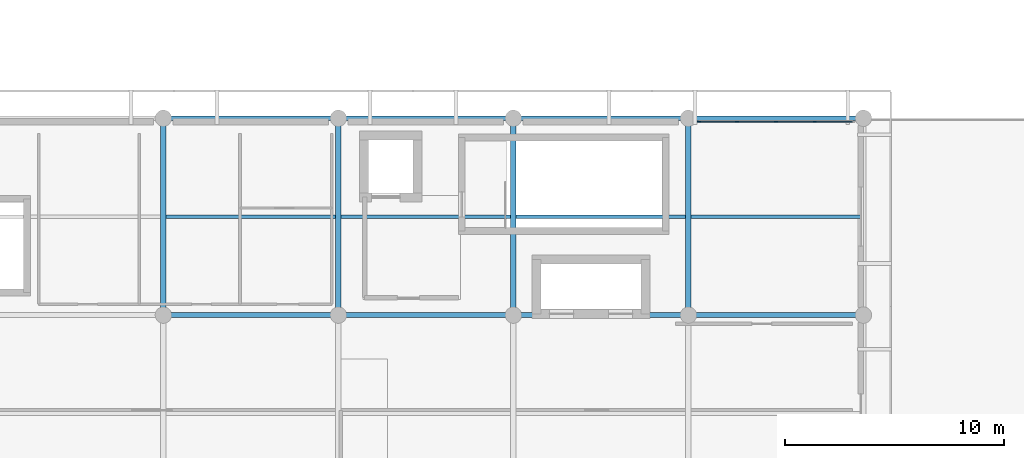
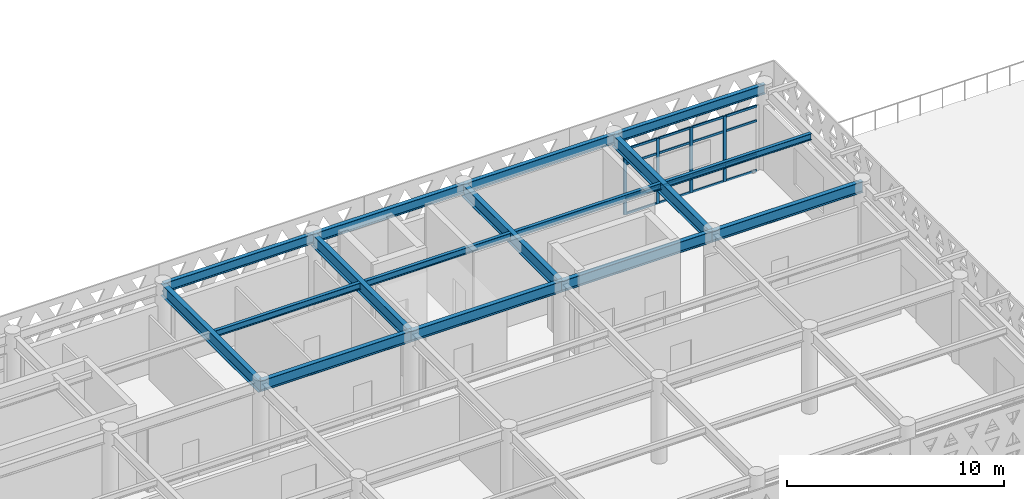
# One storey, part 12 of 26: 20 members, 16 beams, 1 element without a shape of its own.
"""IFC4 building model written with IfcOpenShell, lengths in metres."""

from ifc_helpers import new_model, si_unit, direction, frame, origin, origin_2d, place, context, subcontext, project, spatial, rectangle, i_section, extrude, material, layer, layer_set, material_profile, profile_set, type_object, element, aggregate, save


model = new_model("IFC4")

# Units and contexts
model_context = context("Model", 3, precision=1e-05, world=origin(), true_north=direction((0.0, 1.0)))
body_context = subcontext(model_context, "Body", "Model", "MODEL_VIEW")
ifc_project = project(units=[si_unit("LENGTHUNIT", "METRE"), si_unit("AREAUNIT", "SQUARE_METRE"), si_unit("VOLUMEUNIT", "CUBIC_METRE"), si_unit("PLANEANGLEUNIT", "RADIAN"), si_unit("MASSUNIT", "GRAM", prefix="KILO")], contexts=[model_context])

# Site, building, storey
site_placement = place(None, origin())
site = spatial("IfcSite", under=ifc_project, at=site_placement, CompositionType="ELEMENT")
building_placement = place(site_placement, origin())
building = spatial("IfcBuilding", under=site, at=building_placement, Name="Tlacozan Convention Centre", CompositionType="ELEMENT")
storey_placement = place(building_placement, frame((0.0, 0.0, 21.0)))
storey = spatial("IfcBuildingStorey", under=building, at=storey_placement, Name="L04", CompositionType="ELEMENT", Elevation=21.0)

# Curtain wall, members
ifc_material_1 = material(Name="Dark Bronze Anodised Aluminium", Category="aluminium")
ifc_layer = layer(ifc_material_1, 0.159912109375)
ifc_layer_set = layer_set([ifc_layer], Name="Dark Bronze Anodised Aluminium")
curtain_wall_type = type_object("IfcCurtainWallType", Name="Unitised Congress L04 South CW05", PredefinedType="NOTDEFINED", material=ifc_layer_set)
curtain_wall_placement = place(storey_placement, origin())
curtain_wall = element("IfcCurtainWall", 1, at=curtain_wall_placement, inside=storey, type_object=curtain_wall_type, Name="L04 CW-05 Run 137", PredefinedType="NOTDEFINED")
ifc_material_profile_1 = material_profile(ifc_material_1, rectangle(XDim=0.06494140625, YDim=0.159912109375, at=origin_2d()), Name="ALU 65x160")
ifc_profile_set_1 = profile_set([ifc_material_profile_1], Name="Dark Bronze Anodised Aluminium")
member_type_1 = type_object("IfcMemberType", Name="Curtain Wall Mullion 65x160", PredefinedType="MULLION", material=ifc_profile_set_1)
member_1_placement = place(storey_placement, frame((88.482421875, 26.840087890625, 0.0), z_axis=(0.0, 0.0, 1.0), x_axis=(0.0, 1.0, 0.0)))
member_1 = element("IfcMember", 2, at=member_1_placement, type_object=member_type_1, Name="CW-05 mullion 1", PredefinedType="MULLION", context=body_context, shape_type="SweptSolid", body=[
    extrude(rectangle(XDim=0.06494140625, YDim=0.159912109375, at=origin_2d()), origin(), (0.0, 0.0, 1.0), 3.679931640625),
])
member_2_placement = place(storey_placement, frame((90.22509765625, 26.840087890625, 0.0), z_axis=(0.0, 0.0, 1.0), x_axis=(0.0, 1.0, 0.0)))
member_2 = element("IfcMember", 3, at=member_2_placement, type_object=member_type_1, Name="CW-05 mullion 2", PredefinedType="MULLION", context=body_context, shape_type="SweptSolid", body=[
    extrude(rectangle(XDim=0.06494140625, YDim=0.159912109375, at=origin_2d()), origin(), (0.0, 0.0, 1.0), 3.679931640625),
])
member_3_placement = place(storey_placement, frame((92.0, 26.840087890625, 0.0), z_axis=(0.0, 0.0, 1.0), x_axis=(0.0, 1.0, 0.0)))
member_3 = element("IfcMember", 4, at=member_3_placement, type_object=member_type_1, Name="CW-05 mullion 3", PredefinedType="MULLION", context=body_context, shape_type="SweptSolid", body=[
    extrude(rectangle(XDim=0.06494140625, YDim=0.159912109375, at=origin_2d()), origin(), (0.0, 0.0, 1.0), 3.679931640625),
])
member_4_placement = place(storey_placement, frame((93.77490234375, 26.840087890625, 0.0), z_axis=(0.0, 0.0, 1.0), x_axis=(0.0, 1.0, 0.0)))
member_4 = element("IfcMember", 5, at=member_4_placement, type_object=member_type_1, Name="CW-05 mullion 4", PredefinedType="MULLION", context=body_context, shape_type="SweptSolid", body=[
    extrude(rectangle(XDim=0.06494140625, YDim=0.159912109375, at=origin_2d()), origin(), (0.0, 0.0, 1.0), 3.679931640625),
])
ifc_material_profile_2 = material_profile(ifc_material_1, rectangle(XDim=0.06494140625, YDim=0.125, at=origin_2d()), Name="ALU 65x125")
ifc_profile_set_2 = profile_set([ifc_material_profile_2], Name="Dark Bronze Anodised Aluminium")
member_type_2 = type_object("IfcMemberType", Name="Curtain Wall Transom 65x125", PredefinedType="USERDEFINED", material=ifc_profile_set_2)
member_5_placement = place(storey_placement, frame((88.514892578125, 26.840087890625, 0.032470703125), z_axis=(1.0, 0.0, 0.0), x_axis=(0.0, 1.0, 0.0)))
member_5 = element("IfcMember", 6, at=member_5_placement, type_object=member_type_2, Name="CW-05 transom 1.1", ObjectType="TRANSOM", PredefinedType="USERDEFINED", context=body_context, shape_type="SweptSolid", body=[
    extrude(rectangle(XDim=0.06494140625, YDim=0.125, at=origin_2d()), origin(), (0.0, 0.0, 1.0), 1.677490234375),
])
member_6_placement = place(storey_placement, frame((88.514892578125, 26.840087890625, 0.89990234375), z_axis=(1.0, 0.0, 0.0), x_axis=(0.0, 1.0, 0.0)))
member_6 = element("IfcMember", 7, at=member_6_placement, type_object=member_type_2, Name="CW-05 transom 1.2", ObjectType="TRANSOM", PredefinedType="USERDEFINED", context=body_context, shape_type="SweptSolid", body=[
    extrude(rectangle(XDim=0.06494140625, YDim=0.125, at=origin_2d()), origin(), (0.0, 0.0, 1.0), 1.677490234375),
])
member_7_placement = place(storey_placement, frame((88.514892578125, 26.840087890625, 2.830078125), z_axis=(1.0, 0.0, 0.0), x_axis=(0.0, 1.0, 0.0)))
member_7 = element("IfcMember", 8, at=member_7_placement, type_object=member_type_2, Name="CW-05 transom 1.3", ObjectType="TRANSOM", PredefinedType="USERDEFINED", context=body_context, shape_type="SweptSolid", body=[
    extrude(rectangle(XDim=0.06494140625, YDim=0.125, at=origin_2d()), origin(), (0.0, 0.0, 1.0), 1.677490234375),
])
member_8_placement = place(storey_placement, frame((88.514892578125, 26.840087890625, 3.6474609375), z_axis=(1.0, 0.0, 0.0), x_axis=(0.0, 1.0, 0.0)))
member_8 = element("IfcMember", 9, at=member_8_placement, type_object=member_type_2, Name="CW-05 transom 1.4", ObjectType="TRANSOM", PredefinedType="USERDEFINED", context=body_context, shape_type="SweptSolid", body=[
    extrude(rectangle(XDim=0.06494140625, YDim=0.125, at=origin_2d()), origin(), (0.0, 0.0, 1.0), 1.677490234375),
])
member_9_placement = place(storey_placement, frame((90.257568359375, 26.840087890625, 0.032470703125), z_axis=(1.0, 0.0, 0.0), x_axis=(0.0, 1.0, 0.0)))
member_9 = element("IfcMember", 10, at=member_9_placement, type_object=member_type_2, Name="CW-05 transom 2.1", ObjectType="TRANSOM", PredefinedType="USERDEFINED", context=body_context, shape_type="SweptSolid", body=[
    extrude(rectangle(XDim=0.06494140625, YDim=0.125, at=origin_2d()), origin(), (0.0, 0.0, 1.0), 1.7099609375),
])
member_10_placement = place(storey_placement, frame((90.257568359375, 26.840087890625, 0.89990234375), z_axis=(1.0, 0.0, 0.0), x_axis=(0.0, 1.0, 0.0)))
member_10 = element("IfcMember", 11, at=member_10_placement, type_object=member_type_2, Name="CW-05 transom 2.2", ObjectType="TRANSOM", PredefinedType="USERDEFINED", context=body_context, shape_type="SweptSolid", body=[
    extrude(rectangle(XDim=0.06494140625, YDim=0.125, at=origin_2d()), origin(), (0.0, 0.0, 1.0), 1.7099609375),
])
member_11_placement = place(storey_placement, frame((90.257568359375, 26.840087890625, 2.830078125), z_axis=(1.0, 0.0, 0.0), x_axis=(0.0, 1.0, 0.0)))
member_11 = element("IfcMember", 12, at=member_11_placement, type_object=member_type_2, Name="CW-05 transom 2.3", ObjectType="TRANSOM", PredefinedType="USERDEFINED", context=body_context, shape_type="SweptSolid", body=[
    extrude(rectangle(XDim=0.06494140625, YDim=0.125, at=origin_2d()), origin(), (0.0, 0.0, 1.0), 1.7099609375),
])
member_12_placement = place(storey_placement, frame((90.257568359375, 26.840087890625, 3.6474609375), z_axis=(1.0, 0.0, 0.0), x_axis=(0.0, 1.0, 0.0)))
member_12 = element("IfcMember", 13, at=member_12_placement, type_object=member_type_2, Name="CW-05 transom 2.4", ObjectType="TRANSOM", PredefinedType="USERDEFINED", context=body_context, shape_type="SweptSolid", body=[
    extrude(rectangle(XDim=0.06494140625, YDim=0.125, at=origin_2d()), origin(), (0.0, 0.0, 1.0), 1.7099609375),
])
member_13_placement = place(storey_placement, frame((92.032470703125, 26.840087890625, 0.032470703125), z_axis=(1.0, 0.0, 0.0), x_axis=(0.0, 1.0, 0.0)))
member_13 = element("IfcMember", 14, at=member_13_placement, type_object=member_type_2, Name="CW-05 transom 3.1", ObjectType="TRANSOM", PredefinedType="USERDEFINED", context=body_context, shape_type="SweptSolid", body=[
    extrude(rectangle(XDim=0.06494140625, YDim=0.125, at=origin_2d()), origin(), (0.0, 0.0, 1.0), 1.7099609375),
])
member_14_placement = place(storey_placement, frame((92.032470703125, 26.840087890625, 0.89990234375), z_axis=(1.0, 0.0, 0.0), x_axis=(0.0, 1.0, 0.0)))
member_14 = element("IfcMember", 15, at=member_14_placement, type_object=member_type_2, Name="CW-05 transom 3.2", ObjectType="TRANSOM", PredefinedType="USERDEFINED", context=body_context, shape_type="SweptSolid", body=[
    extrude(rectangle(XDim=0.06494140625, YDim=0.125, at=origin_2d()), origin(), (0.0, 0.0, 1.0), 1.7099609375),
])
member_15_placement = place(storey_placement, frame((92.032470703125, 26.840087890625, 2.830078125), z_axis=(1.0, 0.0, 0.0), x_axis=(0.0, 1.0, 0.0)))
member_15 = element("IfcMember", 16, at=member_15_placement, type_object=member_type_2, Name="CW-05 transom 3.3", ObjectType="TRANSOM", PredefinedType="USERDEFINED", context=body_context, shape_type="SweptSolid", body=[
    extrude(rectangle(XDim=0.06494140625, YDim=0.125, at=origin_2d()), origin(), (0.0, 0.0, 1.0), 1.7099609375),
])
member_16_placement = place(storey_placement, frame((92.032470703125, 26.840087890625, 3.6474609375), z_axis=(1.0, 0.0, 0.0), x_axis=(0.0, 1.0, 0.0)))
member_16 = element("IfcMember", 17, at=member_16_placement, type_object=member_type_2, Name="CW-05 transom 3.4", ObjectType="TRANSOM", PredefinedType="USERDEFINED", context=body_context, shape_type="SweptSolid", body=[
    extrude(rectangle(XDim=0.06494140625, YDim=0.125, at=origin_2d()), origin(), (0.0, 0.0, 1.0), 1.7099609375),
])
member_17_placement = place(storey_placement, frame((93.8076171875, 26.840087890625, 0.032470703125), z_axis=(1.0, 0.0, 0.0), x_axis=(0.0, 1.0, 0.0)))
member_17 = element("IfcMember", 18, at=member_17_placement, type_object=member_type_2, Name="CW-05 transom 4.1", ObjectType="TRANSOM", PredefinedType="USERDEFINED", context=body_context, shape_type="SweptSolid", body=[
    extrude(rectangle(XDim=0.06494140625, YDim=0.125, at=origin_2d()), origin(), (0.0, 0.0, 1.0), 1.677490234375),
])
member_18_placement = place(storey_placement, frame((93.8076171875, 26.840087890625, 0.89990234375), z_axis=(1.0, 0.0, 0.0), x_axis=(0.0, 1.0, 0.0)))
member_18 = element("IfcMember", 19, at=member_18_placement, type_object=member_type_2, Name="CW-05 transom 4.2", ObjectType="TRANSOM", PredefinedType="USERDEFINED", context=body_context, shape_type="SweptSolid", body=[
    extrude(rectangle(XDim=0.06494140625, YDim=0.125, at=origin_2d()), origin(), (0.0, 0.0, 1.0), 1.677490234375),
])
member_19_placement = place(storey_placement, frame((93.8076171875, 26.840087890625, 2.830078125), z_axis=(1.0, 0.0, 0.0), x_axis=(0.0, 1.0, 0.0)))
member_19 = element("IfcMember", 20, at=member_19_placement, type_object=member_type_2, Name="CW-05 transom 4.3", ObjectType="TRANSOM", PredefinedType="USERDEFINED", context=body_context, shape_type="SweptSolid", body=[
    extrude(rectangle(XDim=0.06494140625, YDim=0.125, at=origin_2d()), origin(), (0.0, 0.0, 1.0), 1.677490234375),
])
member_20_placement = place(storey_placement, frame((93.8076171875, 26.840087890625, 3.6474609375), z_axis=(1.0, 0.0, 0.0), x_axis=(0.0, 1.0, 0.0)))
member_20 = element("IfcMember", 21, at=member_20_placement, type_object=member_type_2, Name="CW-05 transom 4.4", ObjectType="TRANSOM", PredefinedType="USERDEFINED", context=body_context, shape_type="SweptSolid", body=[
    extrude(rectangle(XDim=0.06494140625, YDim=0.125, at=origin_2d()), origin(), (0.0, 0.0, 1.0), 1.677490234375),
])
aggregate(curtain_wall, [member_1, member_2, member_3, member_4, member_5, member_6, member_7, member_8, member_9, member_10, member_11, member_12, member_13, member_14, member_15, member_16, member_17, member_18, member_19, member_20])

# Beams
ifc_material_2 = material(Name="Steel ASTM A992 Grade 50", Category="steel")
ifc_material_profile_3 = material_profile(ifc_material_2, i_section(OverallWidth=0.22900390625, OverallDepth=0.612060546875, WebThickness=0.011962890625, FlangeThickness=0.01953125, FilletRadius=0.012939453125, at=origin_2d()), Name="IR 610x125.0")
ifc_profile_set_3 = profile_set([ifc_material_profile_3], Name="Steel ASTM A992 Grade 50")
beam_type_1 = type_object("IfcBeamType", Name="Floor Beam IR 610x125", PredefinedType="BEAM", material=ifc_profile_set_3)
for number, where, z_axis, x_axis, name in (
    (22, (64.0, 18.0, 4.333984375), (1.0, 0.0, 0.0), (0.0, 1.0, 0.0), "L04 Floor Beam IR 610x125 719"),
    (23, (72.0, 18.0, 4.333984375), (1.0, 0.0, 0.0), (0.0, 1.0, 0.0), "L04 Floor Beam IR 610x125 723"),
    (24, (80.0, 18.0, 4.333984375), (1.0, 0.0, 0.0), (0.0, 1.0, 0.0), "L04 Floor Beam IR 610x125 727"),
    (25, (88.0, 18.0, 4.333984375), (1.0, 0.0, 0.0), (0.0, 1.0, 0.0), "L04 Floor Beam IR 610x125 731"),
):
    element("IfcBeam", number, at=place(storey_placement, frame(where, z_axis=z_axis, x_axis=x_axis)), inside=storey, type_object=beam_type_1, Name=name, PredefinedType="BEAM", context=body_context, shape_type="SweptSolid", body=[
        extrude(i_section(OverallWidth=0.22900390625, OverallDepth=0.612060546875, WebThickness=0.011962890625, FlangeThickness=0.01953125, FilletRadius=0.012939453125, at=origin_2d()), origin(), (0.0, 0.0, 1.0), 8.0),
    ])
ifc_material_profile_4 = material_profile(ifc_material_2, i_section(OverallWidth=0.256103515625, OverallDepth=0.693115234375, WebThickness=0.014404296875, FlangeThickness=0.023681640625, FilletRadius=0.014892578125, at=origin_2d()), Name="IR 686x170.0")
ifc_profile_set_4 = profile_set([ifc_material_profile_4], Name="Steel ASTM A992 Grade 50")
beam_type_2 = type_object("IfcBeamType", Name="Girder Steel IR 686x170", PredefinedType="BEAM", material=ifc_profile_set_4)
for number, where, z_axis, x_axis, name in (
    (26, (64.0, 18.0, 4.29345703125), (0.0, 1.0, 0.0), (-1.0, 0.0, 0.0), "L04 Girder Steel IR 686x170 673"),
    (27, (72.0, 18.0, 4.29345703125), (0.0, 1.0, 0.0), (-1.0, 0.0, 0.0), "L04 Girder Steel IR 686x170 676"),
    (28, (80.0, 18.0, 4.29345703125), (0.0, 1.0, 0.0), (-1.0, 0.0, 0.0), "L04 Girder Steel IR 686x170 679"),
    (29, (88.0, 18.0, 4.29345703125), (0.0, 1.0, 0.0), (-1.0, 0.0, 0.0), "L04 Girder Steel IR 686x170 682"),
):
    element("IfcBeam", number, at=place(storey_placement, frame(where, z_axis=z_axis, x_axis=x_axis)), inside=storey, type_object=beam_type_2, Name=name, PredefinedType="BEAM", context=body_context, shape_type="SweptSolid", body=[
        extrude(i_section(OverallWidth=0.256103515625, OverallDepth=0.693115234375, WebThickness=0.014404296875, FlangeThickness=0.023681640625, FilletRadius=0.014892578125, at=origin_2d()), origin(), (0.0, 0.0, 1.0), 9.0),
    ])
ifc_material_profile_5 = material_profile(ifc_material_2, i_section(OverallWidth=0.2109375, OverallDepth=0.5390625, WebThickness=0.01171875, FlangeThickness=0.018798828125, FilletRadius=0.012939453125, at=origin_2d()), Name="IR 533x109.0")
ifc_profile_set_5 = profile_set([ifc_material_profile_5], Name="Steel ASTM A992 Grade 50")
beam_type_3 = type_object("IfcBeamType", Name="Perimeter Spandrel IR 533x109", PredefinedType="SPANDREL", material=ifc_profile_set_5)
for number, where, z_axis, x_axis, name in (
    (30, (64.0, 27.0, 4.37060546875), (1.0, 0.0, 0.0), (0.0, 1.0, 0.0), "L04 Perimeter Spandrel IR 533x109 720"),
    (31, (72.0, 27.0, 4.37060546875), (1.0, 0.0, 0.0), (0.0, 1.0, 0.0), "L04 Perimeter Spandrel IR 533x109 724"),
    (32, (80.0, 27.0, 4.37060546875), (1.0, 0.0, 0.0), (0.0, 1.0, 0.0), "L04 Perimeter Spandrel IR 533x109 728"),
    (33, (88.0, 27.0, 4.37060546875), (1.0, 0.0, 0.0), (0.0, 1.0, 0.0), "L04 Perimeter Spandrel IR 533x109 732"),
):
    element("IfcBeam", number, at=place(storey_placement, frame(where, z_axis=z_axis, x_axis=x_axis)), inside=storey, type_object=beam_type_3, Name=name, PredefinedType="SPANDREL", context=body_context, shape_type="SweptSolid", body=[
        extrude(i_section(OverallWidth=0.2109375, OverallDepth=0.5390625, WebThickness=0.01171875, FlangeThickness=0.018798828125, FilletRadius=0.012939453125, at=origin_2d()), origin(), (0.0, 0.0, 1.0), 8.0),
    ])
ifc_material_profile_6 = material_profile(ifc_material_2, i_section(OverallWidth=0.173095703125, OverallDepth=0.364013671875, WebThickness=0.009033203125, FlangeThickness=0.015625, FilletRadius=0.010009765625, at=origin_2d()), Name="IR 356x67.1")
ifc_profile_set_6 = profile_set([ifc_material_profile_6], Name="Steel ASTM A992 Grade 50")
beam_type_4 = type_object("IfcBeamType", Name="Secondary Joist IR 356x67.1", PredefinedType="JOIST", material=ifc_profile_set_6)
for number, where, z_axis, x_axis, name in (
    (34, (64.1259765625, 22.5, 4.4580078125), (1.0, 0.0, 0.0), (0.0, 1.0, 0.0), "L04 Secondary Joist IR 356x67.1 759"),
    (35, (72.1259765625, 22.5, 4.4580078125), (1.0, 0.0, 0.0), (0.0, 1.0, 0.0), "L04 Secondary Joist IR 356x67.1 762"),
    (36, (80.1259765625, 22.5, 4.4580078125), (1.0, 0.0, 0.0), (0.0, 1.0, 0.0), "L04 Secondary Joist IR 356x67.1 765"),
    (37, (88.1259765625, 22.5, 4.4580078125), (1.0, 0.0, 0.0), (0.0, 1.0, 0.0), "L04 Secondary Joist IR 356x67.1 768"),
):
    element("IfcBeam", number, at=place(storey_placement, frame(where, z_axis=z_axis, x_axis=x_axis)), inside=storey, type_object=beam_type_4, Name=name, PredefinedType="JOIST", context=body_context, shape_type="SweptSolid", body=[
        extrude(i_section(OverallWidth=0.173095703125, OverallDepth=0.364013671875, WebThickness=0.009033203125, FlangeThickness=0.015625, FilletRadius=0.010009765625, at=origin_2d()), origin(), (0.0, 0.0, 1.0), 7.748046875),
    ])

save(model, "model.ifc")
